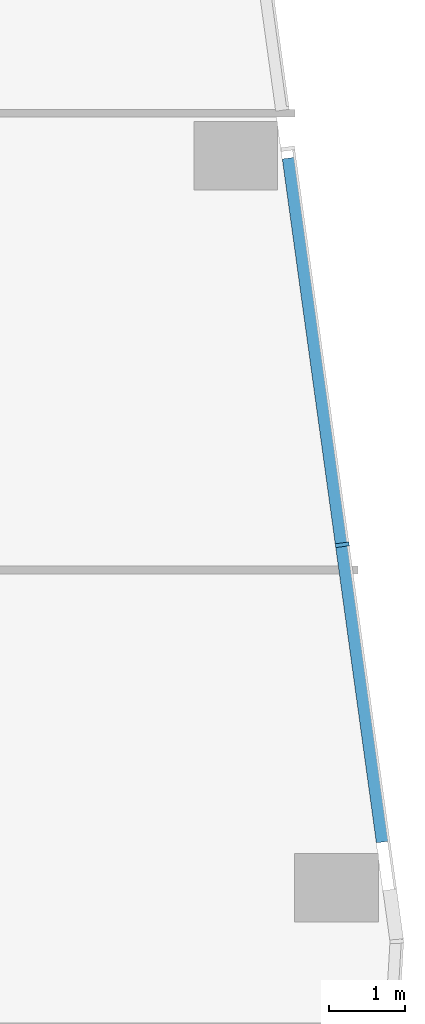
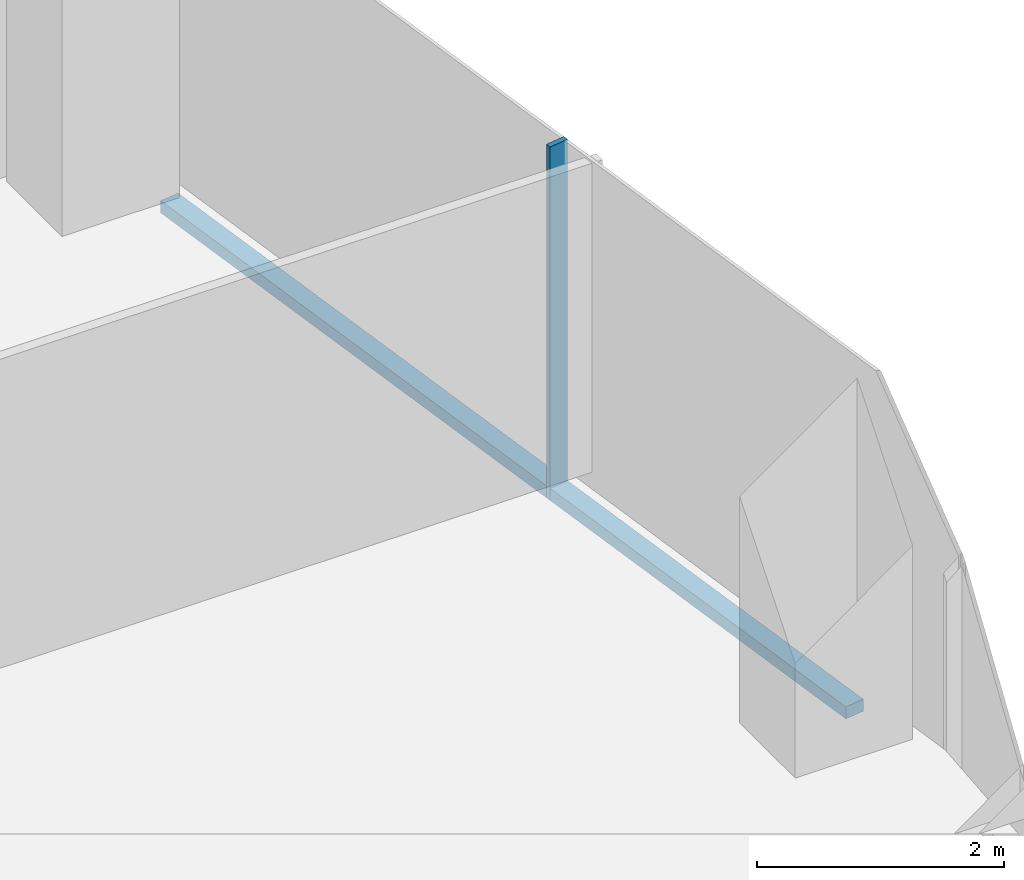
# One storey, part 8 of 27: 2 members, 1 element without a shape of its own.
"""IFC4 building model written with IfcOpenShell, lengths in metres."""

from ifc_helpers import new_model, si_unit, direction, frame, origin, origin_2d, place, context, subcontext, project, spatial, rectangle, extrude, material, material_profile, profile_set, type_object, element, aggregate, save


model = new_model("IFC4")

# Units and contexts
model_context = context("Model", 3, precision=1e-05, world=origin(), true_north=direction((0.0, 1.0)))
body_context = subcontext(model_context, "Body", "Model", "MODEL_VIEW")
ifc_project = project(units=[si_unit("LENGTHUNIT", "METRE"), si_unit("AREAUNIT", "SQUARE_METRE"), si_unit("VOLUMEUNIT", "CUBIC_METRE"), si_unit("PLANEANGLEUNIT", "RADIAN"), si_unit("MASSUNIT", "GRAM", prefix="KILO")], contexts=[model_context])

# Site, building, storey
site_placement = place(None, origin())
site = spatial("IfcSite", under=ifc_project, at=site_placement, CompositionType="ELEMENT")
building_placement = place(site_placement, origin())
building = spatial("IfcBuilding", under=site, at=building_placement, Name="Orlundy Tower", CompositionType="ELEMENT")
storey_placement = place(building_placement, frame((0.0, 0.0, 192.10009765625)))
storey = spatial("IfcBuildingStorey", under=building, at=storey_placement, Name="L50", CompositionType="ELEMENT", Elevation=192.10009765625)

# Curtain wall, members
ifc_material_1 = material(Name="Aluminium bronze anodised", Category="aluminium")
curtain_wall_type = type_object("IfcCurtainWallType", Name="CW1 wall", PredefinedType="NOTDEFINED", material=ifc_material_1)
curtain_wall_placement = place(storey_placement, origin())
curtain_wall = element("IfcCurtainWall", 1, at=curtain_wall_placement, inside=storey, type_object=curtain_wall_type, Name="CW1 run 011", PredefinedType="NOTDEFINED")
ifc_material_2 = material(Name="Aluminium bronze anodised", Category="aluminium")
ifc_material_profile_1 = material_profile(ifc_material_2, rectangle(XDim=0.179931640625, YDim=0.050048828125, at=origin_2d()), Name="CW1 mullion 50x180")
ifc_profile_set_1 = profile_set([ifc_material_profile_1], Name="Aluminium bronze anodised")
member_type_1 = type_object("IfcMemberType", Name="CW1 mullion 50x180", PredefinedType="MULLION", material=ifc_profile_set_1)
member_1_placement = place(storey_placement, frame((40.9267578125, 0.331298828125, -0.420166015625), z_axis=(0.0, 0.0, 1.0), x_axis=(0.990669519619, 0.13628610677, 0.0)))
member_1 = element("IfcMember", 2, at=member_1_placement, type_object=member_type_1, Name="CW1 mullion 35", PredefinedType="MULLION", context=body_context, shape_type="SweptSolid", body=[
    extrude(rectangle(XDim=0.179931640625, YDim=0.050048828125, at=origin_2d()), origin(), (0.0, 0.0, 1.0), 3.5),
])
ifc_material_3 = material(Name="Aluminium bronze anodised", Category="aluminium")
ifc_material_profile_2 = material_profile(ifc_material_3, rectangle(XDim=0.179931640625, YDim=0.1201171875, at=origin_2d()), Name="CW1 transom 180x120")
ifc_profile_set_2 = profile_set([ifc_material_profile_2], Name="Aluminium bronze anodised")
member_type_2 = type_object("IfcMemberType", Name="CW1 transom 180x120", PredefinedType="USERDEFINED", material=ifc_profile_set_2)
member_2_placement = place(storey_placement, frame((40.22802734375, 5.409912109375, -0.360107421875), z_axis=(0.136269219908, -0.990671842593, 0.0), x_axis=(0.990671842593, 0.136269219908, 0.0)))
member_2 = element("IfcMember", 3, at=member_2_placement, type_object=member_type_2, Name="CW1 transom", ObjectType="TRANSOM", PredefinedType="USERDEFINED", context=body_context, shape_type="SweptSolid", body=[
    extrude(rectangle(XDim=0.179931640625, YDim=0.1201171875, at=origin_2d()), origin(), (0.0, 0.0, 1.0), 9.0654296875),
])
aggregate(curtain_wall, [member_1, member_2])

save(model, "model.ifc")
